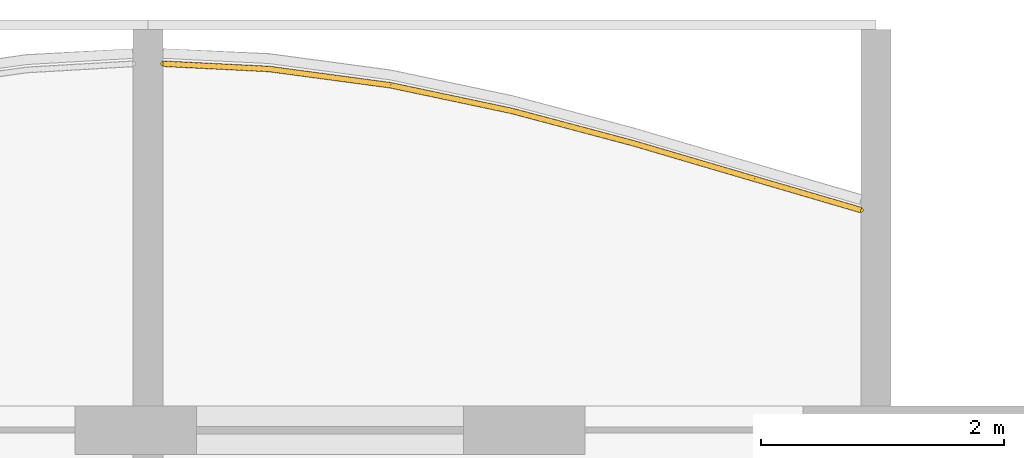
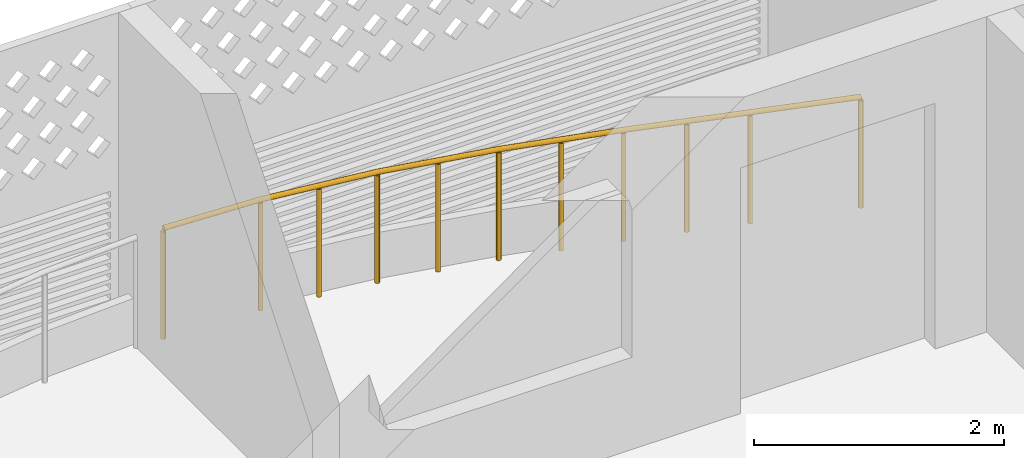
# One storey, part 25 of 26: 1 railing.
"""IFC4 building model written with IfcOpenShell, lengths in metres."""

from ifc_helpers import new_model, si_unit, direction, frame, origin, origin_2d, place, context, subcontext, project, spatial, circle, extrude, material, type_object, element, save


model = new_model("IFC4")

# Units and contexts
model_context = context("Model", 3, precision=1e-05, world=origin(), true_north=direction((0.0, 1.0)))
body_context = subcontext(model_context, "Body", "Model", "MODEL_VIEW")
ifc_project = project(units=[si_unit("LENGTHUNIT", "METRE"), si_unit("AREAUNIT", "SQUARE_METRE"), si_unit("VOLUMEUNIT", "CUBIC_METRE"), si_unit("PLANEANGLEUNIT", "RADIAN"), si_unit("MASSUNIT", "GRAM", prefix="KILO")], contexts=[model_context])

# Site, building, storey
site_placement = place(None, origin())
site = spatial("IfcSite", under=ifc_project, at=site_placement, CompositionType="ELEMENT")
building_placement = place(site_placement, origin())
building = spatial("IfcBuilding", under=site, at=building_placement, Name="Poui Terraces", CompositionType="ELEMENT")
storey_placement = place(building_placement, frame((0.0, 0.0, 247.800048828125)))
storey = spatial("IfcBuildingStorey", under=building, at=storey_placement, Name="L69", CompositionType="ELEMENT", Elevation=247.800048828125)

# Railing
ifc_material = material(Name="Painted steel fretwork", Category="steel")
railing_type = type_object("IfcRailingType", Name="BALCONY GUARD 1100", PredefinedType="GUARDRAIL", material=ifc_material)
railing_placement = place(storey_placement, frame((72.125, 44.2197265625, 0.0)))
element("IfcRailing", 1, at=railing_placement, inside=storey, type_object=railing_type, Name="BALCONY GUARD", PredefinedType="GUARDRAIL", context=body_context, shape_type="SweptSolid", body=[
    extrude(circle(Radius=0.02392578125, at=origin_2d()), frame((0.0, 0.0, 1.076171875), z_axis=(0.998768961938, -0.049604038846, 0.0), x_axis=(0.049604038846, 0.998768961938, 0.0)), (0.0, 0.0, 1.0), 0.8759765625),
    extrude(circle(Radius=0.02392578125, at=origin_2d()), frame((0.875, -0.04345703125, 1.076171875), z_axis=(0.991104904979, -0.133082934018, 0.0), x_axis=(0.133082934018, 0.991104904979, 0.0)), (0.0, 0.0, 1.0), 1.009033203125),
    extrude(circle(Radius=0.02392578125, at=origin_2d()), frame((1.875, -0.177734375, 1.076171875), z_axis=(0.978372019246, -0.206853068522, 0.0), x_axis=(0.206853068522, 0.978372019246, 0.0)), (0.0, 0.0, 1.0), 1.022216796875),
    extrude(circle(Radius=0.02392578125, at=origin_2d()), frame((2.875, -0.38916015625, 1.076171875), z_axis=(0.966309295868, -0.257383652781, 0.0), x_axis=(0.257383652781, 0.966309295868, 0.0)), (0.0, 0.0, 1.0), 1.034912109375),
    extrude(circle(Radius=0.02392578125, at=origin_2d()), frame((3.875, -0.655517578125, 1.076171875), z_axis=(0.959410247021, -0.282014144876, 0.0), x_axis=(0.282014144876, 0.959410247021, 0.0)), (0.0, 0.0, 1.0), 1.042236328125),
    extrude(circle(Radius=0.02392578125, at=origin_2d()), frame((4.875, -0.949462890625, 1.076171875), z_axis=(0.959663427085, -0.281151394654, 0.0), x_axis=(0.281151394654, 0.959663427085, 0.0)), (0.0, 0.0, 1.0), 0.911865234375),
    extrude(circle(Radius=0.02099609375, at=origin_2d()), origin(), (0.0, 0.0, 1.0), 1.052001953125),
    extrude(circle(Radius=0.02099609375, at=origin_2d()), frame((0.875, -0.04345703125, 0.0)), (0.0, 0.0, 1.0), 1.052001953125),
    extrude(circle(Radius=0.02099609375, at=origin_2d()), frame((1.375, -0.110595703125, 0.0)), (0.0, 0.0, 1.0), 1.052001953125),
    extrude(circle(Radius=0.02099609375, at=origin_2d()), frame((1.875, -0.177734375, 0.0)), (0.0, 0.0, 1.0), 1.052001953125),
    extrude(circle(Radius=0.02099609375, at=origin_2d()), frame((2.375, -0.283447265625, 0.0)), (0.0, 0.0, 1.0), 1.052001953125),
    extrude(circle(Radius=0.02099609375, at=origin_2d()), frame((2.875, -0.38916015625, 0.0)), (0.0, 0.0, 1.0), 1.052001953125),
    extrude(circle(Radius=0.02099609375, at=origin_2d()), frame((3.375, -0.5224609375, 0.0)), (0.0, 0.0, 1.0), 1.052001953125),
    extrude(circle(Radius=0.02099609375, at=origin_2d()), frame((3.875, -0.655517578125, 0.0)), (0.0, 0.0, 1.0), 1.052001953125),
    extrude(circle(Radius=0.02099609375, at=origin_2d()), frame((4.375, -0.802490234375, 0.0)), (0.0, 0.0, 1.0), 1.052001953125),
    extrude(circle(Radius=0.02099609375, at=origin_2d()), frame((4.875, -0.949462890625, 0.0)), (0.0, 0.0, 1.0), 1.052001953125),
    extrude(circle(Radius=0.02099609375, at=origin_2d()), frame((5.75, -1.205810546875, 0.0)), (0.0, 0.0, 1.0), 1.052001953125),
])

save(model, "model.ifc")
